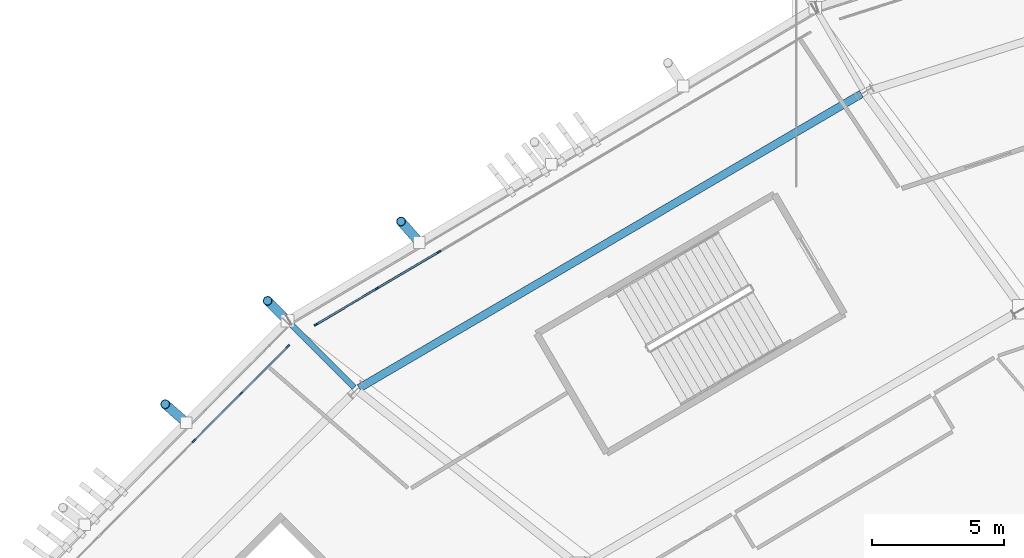
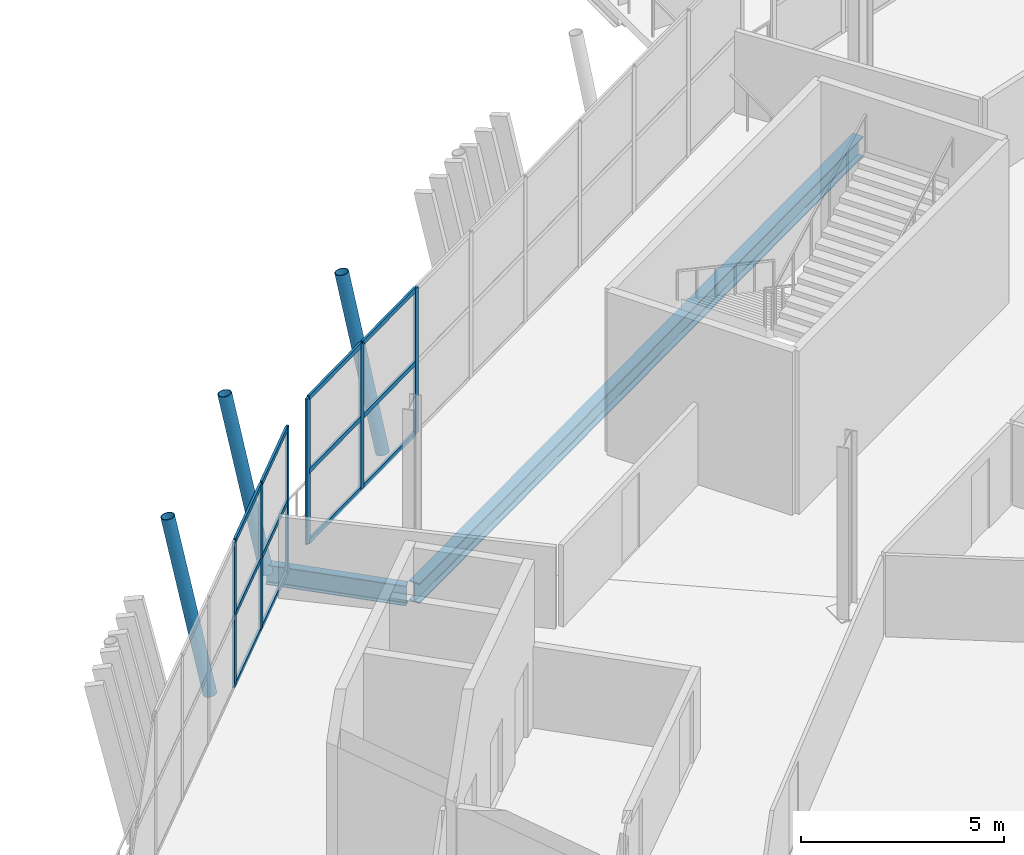
# One storey, part 64 of 168: 21 members, 2 beams, 2 elements without a shape of their own.
"""IFC4 building model written with IfcOpenShell, lengths in metres."""

from ifc_helpers import new_model, si_unit, direction, frame, origin, origin_2d, place, context, subcontext, project, spatial, rectangle, hollow_circle, i_section, extrude, material, material_profile, profile_set, type_object, element, aggregate, save


model = new_model("IFC4")

# Units and contexts
model_context = context("Model", 3, precision=1e-05, world=origin(), true_north=direction((0.0, 1.0)))
body_context = subcontext(model_context, "Body", "Model", "MODEL_VIEW")
ifc_project = project(units=[si_unit("LENGTHUNIT", "METRE"), si_unit("AREAUNIT", "SQUARE_METRE"), si_unit("VOLUMEUNIT", "CUBIC_METRE"), si_unit("PLANEANGLEUNIT", "RADIAN"), si_unit("MASSUNIT", "GRAM", prefix="KILO")], contexts=[model_context])

# Site, building, storey
site_placement = place(None, origin())
site = spatial("IfcSite", under=ifc_project, at=site_placement, CompositionType="ELEMENT")
building_placement = place(site_placement, origin())
building = spatial("IfcBuilding", under=site, at=building_placement, Name="Zlatoyarsky Gate Stadium", CompositionType="ELEMENT")
storey_placement = place(building_placement, frame((0.0, 0.0, 15.60009765625)))
storey = spatial("IfcBuildingStorey", under=building, at=storey_placement, Name="L03", CompositionType="ELEMENT", Elevation=15.60009765625)

# Curtain wall, members
ifc_material_1 = material(Name="Thermally broken anodised aluminium curtain wall", Category="aluminium")
curtain_wall_type = type_object("IfcCurtainWallType", Name="UNITISED CORPORATE BOX GLAZING L03", PredefinedType="USERDEFINED", material=ifc_material_1)
curtain_wall_1_placement = place(storey_placement, origin())
curtain_wall_1 = element("IfcCurtainWall", 1, at=curtain_wall_1_placement, inside=storey, type_object=curtain_wall_type, Name="Curtain wall CW-L03-08", ObjectType="UNITISED GLAZING", PredefinedType="USERDEFINED")
ifc_material_2 = material(Name="Anodised aluminium 6063-T6", Category="aluminium")
ifc_material_profile_1 = material_profile(ifc_material_2, rectangle(XDim=0.06494140625, YDim=0.159912109375, at=origin_2d()), Name="ALU 65X160")
ifc_profile_set_1 = profile_set([ifc_material_profile_1], Name="Anodised aluminium 6063-T6")
member_type_1 = type_object("IfcMemberType", Name="ALUMINIUM MULLION 65X160", PredefinedType="MULLION", material=ifc_profile_set_1)
member_1_placement = place(storey_placement, frame((48.36669921875, 135.43310546875, 0.0), z_axis=(0.0, 0.0, 1.0), x_axis=(0.509098466593, -0.860708284678, 0.0)))
member_1 = element("IfcMember", 2, at=member_1_placement, type_object=member_type_1, Name="CW-UG3 mullion 7", PredefinedType="MULLION", context=body_context, shape_type="SweptSolid", body=[
    extrude(rectangle(XDim=0.06494140625, YDim=0.159912109375, at=origin_2d()), origin(), (0.0, 0.0, 1.0), 4.3798828125),
])
member_2_placement = place(storey_placement, frame((46.021240234375, 134.045654296875, 0.0), z_axis=(0.0, 0.0, 1.0), x_axis=(0.509098466593, -0.860708284678, 0.0)))
member_2 = element("IfcMember", 3, at=member_2_placement, type_object=member_type_1, Name="CW-UG3 mullion 8", PredefinedType="MULLION", context=body_context, shape_type="SweptSolid", body=[
    extrude(rectangle(XDim=0.06494140625, YDim=0.159912109375, at=origin_2d()), origin(), (0.0, 0.0, 1.0), 4.3798828125),
])
member_3_placement = place(storey_placement, frame((43.70361328125, 132.675048828125, 0.0), z_axis=(0.0, 0.0, 1.0), x_axis=(0.509098466593, -0.860708284678, 0.0)))
member_3 = element("IfcMember", 4, at=member_3_placement, type_object=member_type_1, Name="CW-UG3 mullion 9", PredefinedType="MULLION", context=body_context, shape_type="SweptSolid", body=[
    extrude(rectangle(XDim=0.06494140625, YDim=0.159912109375, at=origin_2d()), origin(), (0.0, 0.0, 1.0), 4.3798828125),
])

curtain_wall_2_placement = place(storey_placement, origin())
curtain_wall_2 = element("IfcCurtainWall", 5, at=curtain_wall_2_placement, inside=storey, type_object=curtain_wall_type, Name="Curtain wall CW-L03-09", ObjectType="UNITISED GLAZING", PredefinedType="USERDEFINED")
member_4_placement = place(storey_placement, frame((42.634765625, 131.84375, 0.0), z_axis=(0.0, 0.0, 1.0), x_axis=(0.708721143054, -0.705488725202, 0.0)))
member_4 = element("IfcMember", 6, at=member_4_placement, type_object=member_type_1, Name="CW-UG3 mullion 1", PredefinedType="MULLION", context=body_context, shape_type="SweptSolid", body=[
    extrude(rectangle(XDim=0.06494140625, YDim=0.159912109375, at=origin_2d()), origin(), (0.0, 0.0, 1.0), 4.3798828125),
])
member_5_placement = place(storey_placement, frame((40.865234375, 130.066162109375, 0.0), z_axis=(0.0, 0.0, 1.0), x_axis=(0.708721143054, -0.705488725202, 0.0)))
member_5 = element("IfcMember", 7, at=member_5_placement, type_object=member_type_1, Name="CW-UG3 mullion 2", PredefinedType="MULLION", context=body_context, shape_type="SweptSolid", body=[
    extrude(rectangle(XDim=0.06494140625, YDim=0.159912109375, at=origin_2d()), origin(), (0.0, 0.0, 1.0), 4.3798828125),
])
member_6_placement = place(storey_placement, frame((39.07275390625, 128.265625, 0.0), z_axis=(0.0, 0.0, 1.0), x_axis=(0.708721143054, -0.705488725202, 0.0)))
member_6 = element("IfcMember", 8, at=member_6_placement, type_object=member_type_1, Name="CW-UG3 mullion 3", PredefinedType="MULLION", context=body_context, shape_type="SweptSolid", body=[
    extrude(rectangle(XDim=0.06494140625, YDim=0.159912109375, at=origin_2d()), origin(), (0.0, 0.0, 1.0), 4.3798828125),
])

# Member
ifc_material_profile_2 = material_profile(ifc_material_2, rectangle(XDim=0.06494140625, YDim=0.139892578125, at=origin_2d()), Name="ALU 65X140")
ifc_profile_set_2 = profile_set([ifc_material_profile_2], Name="Anodised aluminium 6063-T6")
member_type_2 = type_object("IfcMemberType", Name="ALUMINIUM TRANSOM 65X140", PredefinedType="USERDEFINED", material=ifc_profile_set_2)
member_7_placement = place(storey_placement, frame((48.338623046875, 135.41650390625, 0.032470703125), z_axis=(-0.860707189663, -0.509100317878, 0.0), x_axis=(0.509100317878, -0.860707189663, 0.0)))
member_7 = element("IfcMember", 9, at=member_7_placement, type_object=member_type_2, Name="CW-UG3 transom 7.1", ObjectType="TRANSOM", PredefinedType="USERDEFINED", context=body_context, shape_type="SweptSolid", body=[
    extrude(rectangle(XDim=0.06494140625, YDim=0.139892578125, at=origin_2d()), origin(), (0.0, 0.0, 1.0), 2.66015625),
])

member_8_placement = place(storey_placement, frame((48.338623046875, 135.41650390625, 2.14990234375), z_axis=(-0.860707189663, -0.509100317878, 0.0), x_axis=(0.509100317878, -0.860707189663, 0.0)))
member_8 = element("IfcMember", 10, at=member_8_placement, type_object=member_type_2, Name="CW-UG3 transom 7.2", ObjectType="TRANSOM", PredefinedType="USERDEFINED", context=body_context, shape_type="SweptSolid", body=[
    extrude(rectangle(XDim=0.06494140625, YDim=0.139892578125, at=origin_2d()), origin(), (0.0, 0.0, 1.0), 2.66015625),
])

member_9_placement = place(storey_placement, frame((48.338623046875, 135.41650390625, 4.347412109375), z_axis=(-0.860707189663, -0.509100317878, 0.0), x_axis=(0.509100317878, -0.860707189663, 0.0)))
member_9 = element("IfcMember", 11, at=member_9_placement, type_object=member_type_2, Name="CW-UG3 transom 7.3", ObjectType="TRANSOM", PredefinedType="USERDEFINED", context=body_context, shape_type="SweptSolid", body=[
    extrude(rectangle(XDim=0.06494140625, YDim=0.139892578125, at=origin_2d()), origin(), (0.0, 0.0, 1.0), 2.66015625),
])

member_10_placement = place(storey_placement, frame((45.9931640625, 134.029052734375, 0.032470703125), z_axis=(-0.860706316995, -0.509101793244, 0.0), x_axis=(0.509101793244, -0.860706316995, 0.0)))
member_10 = element("IfcMember", 12, at=member_10_placement, type_object=member_type_2, Name="CW-UG3 transom 8.1", ObjectType="TRANSOM", PredefinedType="USERDEFINED", context=body_context, shape_type="SweptSolid", body=[
    extrude(rectangle(XDim=0.06494140625, YDim=0.139892578125, at=origin_2d()), origin(), (0.0, 0.0, 1.0), 2.62744140625),
])

member_11_placement = place(storey_placement, frame((45.9931640625, 134.029052734375, 2.14990234375), z_axis=(-0.860706316995, -0.509101793244, 0.0), x_axis=(0.509101793244, -0.860706316995, 0.0)))
member_11 = element("IfcMember", 13, at=member_11_placement, type_object=member_type_2, Name="CW-UG3 transom 8.2", ObjectType="TRANSOM", PredefinedType="USERDEFINED", context=body_context, shape_type="SweptSolid", body=[
    extrude(rectangle(XDim=0.06494140625, YDim=0.139892578125, at=origin_2d()), origin(), (0.0, 0.0, 1.0), 2.62744140625),
])

member_12_placement = place(storey_placement, frame((45.9931640625, 134.029052734375, 4.347412109375), z_axis=(-0.860706316995, -0.509101793244, 0.0), x_axis=(0.509101793244, -0.860706316995, 0.0)))
member_12 = element("IfcMember", 14, at=member_12_placement, type_object=member_type_2, Name="CW-UG3 transom 8.3", ObjectType="TRANSOM", PredefinedType="USERDEFINED", context=body_context, shape_type="SweptSolid", body=[
    extrude(rectangle(XDim=0.06494140625, YDim=0.139892578125, at=origin_2d()), origin(), (0.0, 0.0, 1.0), 2.62744140625),
])

aggregate(curtain_wall_1, [member_1, member_2, member_3, member_7, member_8, member_9, member_10, member_11, member_12])

member_13_placement = place(storey_placement, frame((42.61181640625, 131.82080078125, 0.032470703125), z_axis=(-0.705456130135, -0.708753587967, 0.0), x_axis=(0.708753587967, -0.705456130135, 0.0)))
member_13 = element("IfcMember", 15, at=member_13_placement, type_object=member_type_2, Name="CW-UG3 transom 1.1", ObjectType="TRANSOM", PredefinedType="USERDEFINED", context=body_context, shape_type="SweptSolid", body=[
    extrude(rectangle(XDim=0.06494140625, YDim=0.139892578125, at=origin_2d()), origin(), (0.0, 0.0, 1.0), 2.443359375),
])

member_14_placement = place(storey_placement, frame((42.61181640625, 131.82080078125, 2.14990234375), z_axis=(-0.705456130135, -0.708753587967, 0.0), x_axis=(0.708753587967, -0.705456130135, 0.0)))
member_14 = element("IfcMember", 16, at=member_14_placement, type_object=member_type_2, Name="CW-UG3 transom 1.2", ObjectType="TRANSOM", PredefinedType="USERDEFINED", context=body_context, shape_type="SweptSolid", body=[
    extrude(rectangle(XDim=0.06494140625, YDim=0.139892578125, at=origin_2d()), origin(), (0.0, 0.0, 1.0), 2.443359375),
])

member_15_placement = place(storey_placement, frame((42.61181640625, 131.82080078125, 4.347412109375), z_axis=(-0.705456130135, -0.708753587967, 0.0), x_axis=(0.708753587967, -0.705456130135, 0.0)))
member_15 = element("IfcMember", 17, at=member_15_placement, type_object=member_type_2, Name="CW-UG3 transom 1.3", ObjectType="TRANSOM", PredefinedType="USERDEFINED", context=body_context, shape_type="SweptSolid", body=[
    extrude(rectangle(XDim=0.06494140625, YDim=0.139892578125, at=origin_2d()), origin(), (0.0, 0.0, 1.0), 2.443359375),
])

member_16_placement = place(storey_placement, frame((40.84228515625, 130.043212890625, 0.032470703125), z_axis=(-0.705477793712, -0.708732024519, 0.0), x_axis=(0.708732024519, -0.705477793712, 0.0)))
member_16 = element("IfcMember", 18, at=member_16_placement, type_object=member_type_2, Name="CW-UG3 transom 2.1", ObjectType="TRANSOM", PredefinedType="USERDEFINED", context=body_context, shape_type="SweptSolid", body=[
    extrude(rectangle(XDim=0.06494140625, YDim=0.139892578125, at=origin_2d()), origin(), (0.0, 0.0, 1.0), 2.475830078125),
])

member_17_placement = place(storey_placement, frame((40.84228515625, 130.043212890625, 2.14990234375), z_axis=(-0.705477793712, -0.708732024519, 0.0), x_axis=(0.708732024519, -0.705477793712, 0.0)))
member_17 = element("IfcMember", 19, at=member_17_placement, type_object=member_type_2, Name="CW-UG3 transom 2.2", ObjectType="TRANSOM", PredefinedType="USERDEFINED", context=body_context, shape_type="SweptSolid", body=[
    extrude(rectangle(XDim=0.06494140625, YDim=0.139892578125, at=origin_2d()), origin(), (0.0, 0.0, 1.0), 2.475830078125),
])

member_18_placement = place(storey_placement, frame((40.84228515625, 130.043212890625, 4.347412109375), z_axis=(-0.705477793712, -0.708732024519, 0.0), x_axis=(0.708732024519, -0.705477793712, 0.0)))
member_18 = element("IfcMember", 20, at=member_18_placement, type_object=member_type_2, Name="CW-UG3 transom 2.3", ObjectType="TRANSOM", PredefinedType="USERDEFINED", context=body_context, shape_type="SweptSolid", body=[
    extrude(rectangle(XDim=0.06494140625, YDim=0.139892578125, at=origin_2d()), origin(), (0.0, 0.0, 1.0), 2.475830078125),
])

aggregate(curtain_wall_2, [member_4, member_5, member_6, member_13, member_14, member_15, member_16, member_17, member_18])

# Beam
ifc_material_3 = material(Name="Steel S355", Category="steel")
ifc_material_profile_3 = material_profile(ifc_material_3, i_section(OverallWidth=0.219970703125, OverallDepth=0.60009765625, WebThickness=0.011962890625, FlangeThickness=0.01904296875, FilletRadius=0.02392578125, at=origin_2d()), Name="IPE 600")
ifc_profile_set_3 = profile_set([ifc_material_profile_3], Name="Steel S355")
beam_type_1 = type_object("IfcBeamType", Name="STEEL CANTILEVER FLOOR BEAM IPE 600", PredefinedType="BEAM", material=ifc_profile_set_3)
beam_1_placement = place(storey_placement, frame((45.154296875, 130.28955078125, -0.580078125), z_axis=(-0.707140856158, 0.707072704572, 0.0), x_axis=(-0.707072704572, -0.707140856158, 0.0)))
element("IfcBeam", 21, at=beam_1_placement, inside=storey, type_object=beam_type_1, Name="Beam B-IPE600 BM-L03-OUT-09", PredefinedType="BEAM", context=body_context, shape_type="SweptSolid", body=[
    extrude(i_section(OverallWidth=0.219970703125, OverallDepth=0.60009765625, WebThickness=0.011962890625, FlangeThickness=0.01904296875, FilletRadius=0.02392578125, at=origin_2d()), origin(), (0.0, 0.0, 1.0), 3.582275390625),
])

# Members
ifc_material_profile_4 = material_profile(ifc_material_3, hollow_circle(Radius=0.177734375, WallThickness=0.02001953125, at=origin_2d()), Name="CHS 355.6X20")
ifc_profile_set_4 = profile_set([ifc_material_profile_4], Name="Steel S355")
member_type_3 = type_object("IfcMemberType", Name="STEEL LEANING RIB RING STRUT CHS 355.6X20", PredefinedType="STRUT", material=ifc_profile_set_4)
member_19_placement = place(storey_placement, frame((42.62109375, 132.822509765625, -0.580078125), z_axis=(-0.142688105255, 0.142688105255, 0.97942851155), x_axis=(-0.707106781187, -0.707106781187, 0.0)))
element("IfcMember", 22, at=member_19_placement, inside=storey, type_object=member_type_3, Name="Leaning ring strut 09 L03 to L04", PredefinedType="STRUT", context=body_context, shape_type="SweptSolid", body=[
    extrude(hollow_circle(Radius=0.177734375, WallThickness=0.02001953125, at=origin_2d()), origin(), (0.0, 0.0, 1.0), 5.288818359375),
])
for number, where, z_axis, x_axis, name in (
    (23, (47.628173828125, 135.790283203125, -0.530029296875), (-0.132289242241, 0.150758944474, 0.979679180675), (-0.75164898085, -0.659563347668, 0.0), "Outward-leaning bowl louvre fin rib L03 08-3"),
    (24, (38.779296875, 128.95458984375, -0.530029296875), (-0.150758944474, 0.132289242241, 0.979679180675), (-0.659563347668, -0.75164898085, 0.0), "Outward-leaning bowl louvre fin rib L03 09-1"),
):
    element("IfcMember", number, at=place(storey_placement, frame(where, z_axis=z_axis, x_axis=x_axis)), inside=storey, type_object=member_type_3, Name=name, PredefinedType="STRUT", context=body_context, shape_type="SweptSolid", body=[
        extrude(hollow_circle(Radius=0.177734375, WallThickness=0.02001953125, at=origin_2d()), origin(), (0.0, 0.0, 1.0), 5.287353515625),
    ])

# Beam
ifc_material_profile_5 = material_profile(ifc_material_3, i_section(OverallWidth=0.300048828125, OverallDepth=0.60009765625, WebThickness=0.015380859375, FlangeThickness=0.030029296875, FilletRadius=0.027099609375, at=origin_2d()), Name="HEB 600")
ifc_profile_set_5 = profile_set([ifc_material_profile_5], Name="Steel S355")
beam_type_2 = type_object("IfcBeamType", Name="STEEL PRIMARY GIRDER HEB 600", PredefinedType="BEAM", material=ifc_profile_set_5)
beam_2_placement = place(storey_placement, frame((64.396484375, 141.427001953125, -0.580078125), z_axis=(-0.862854775092, -0.505451913738, 0.0), x_axis=(0.505451913738, -0.862854775092, 0.0)))
element("IfcBeam", 25, at=beam_2_placement, inside=storey, type_object=beam_type_2, Name="Beam G-HEB600 BM-L03-CRC-08", PredefinedType="BEAM", context=body_context, shape_type="SweptSolid", body=[
    extrude(i_section(OverallWidth=0.300048828125, OverallDepth=0.60009765625, WebThickness=0.015380859375, FlangeThickness=0.030029296875, FilletRadius=0.027099609375, at=origin_2d()), origin(), (0.0, 0.0, 1.0), 22.08251953125),
])

save(model, "model.ifc")
